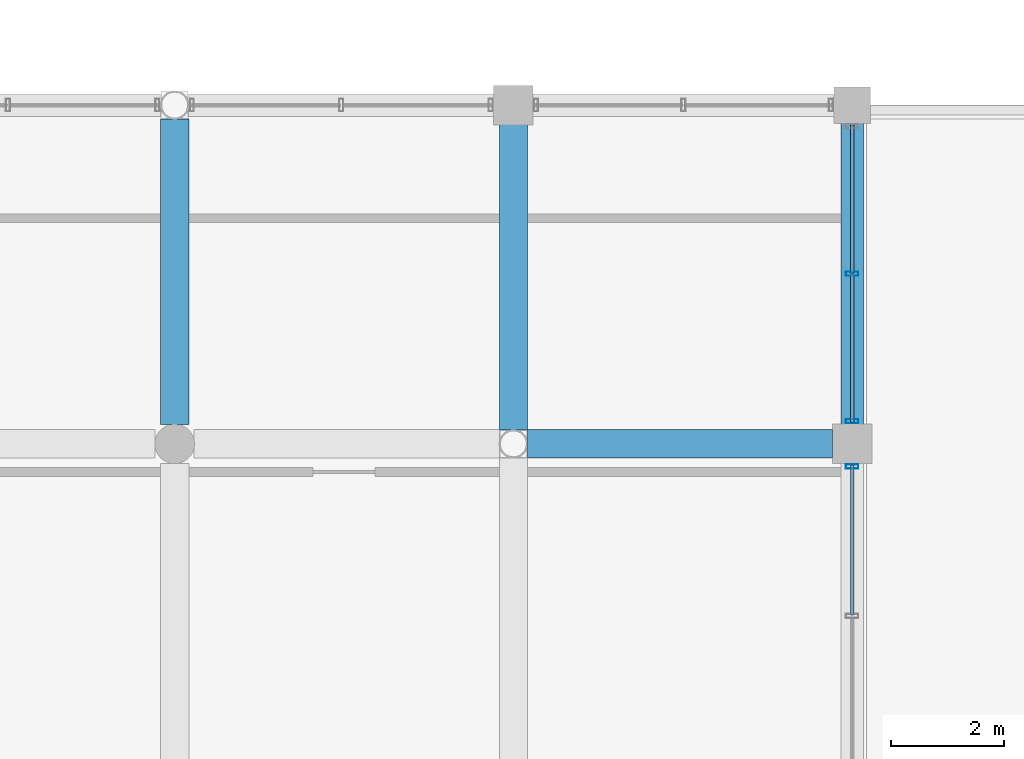
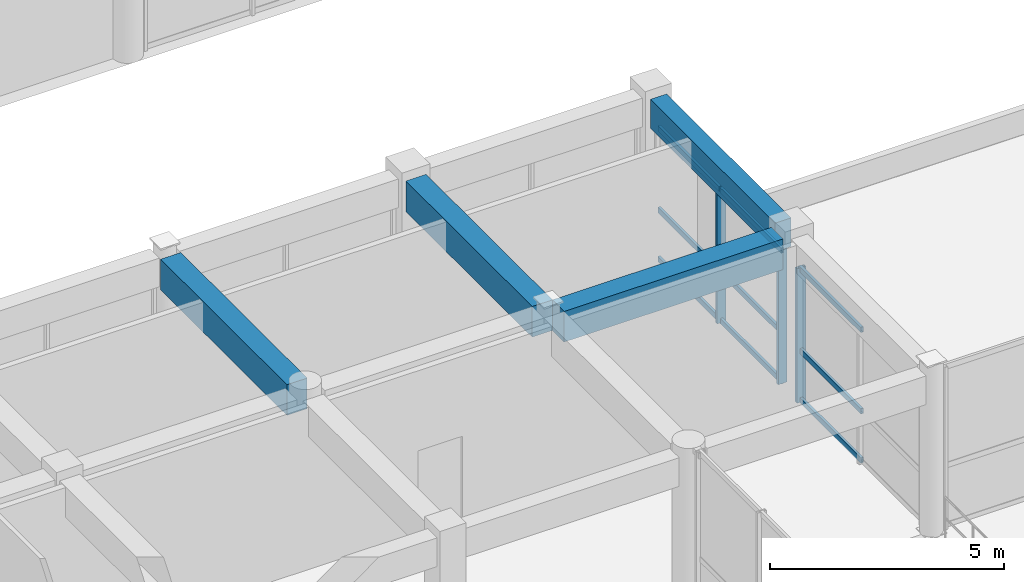
# One storey, part 31 of 116: 12 members, 4 beams, 2 elements without a shape of their own.
"""IFC4 building model written with IfcOpenShell, lengths in metres."""

from ifc_helpers import new_model, si_unit, direction, frame, origin, origin_2d, place, context, subcontext, project, spatial, rectangle, hollow_rectangle, extrude, material, material_profile, profile_set, type_object, element, aggregate, save


model = new_model("IFC4")

# Units and contexts
model_context = context("Model", 3, precision=1e-05, world=origin(), true_north=direction((0.0, 1.0)))
body_context = subcontext(model_context, "Body", "Model", "MODEL_VIEW")
ifc_project = project(units=[si_unit("LENGTHUNIT", "METRE"), si_unit("AREAUNIT", "SQUARE_METRE"), si_unit("VOLUMEUNIT", "CUBIC_METRE"), si_unit("PLANEANGLEUNIT", "RADIAN"), si_unit("MASSUNIT", "GRAM", prefix="KILO"), si_unit("THERMODYNAMICTEMPERATUREUNIT", "KELVIN"), si_unit("POWERUNIT", "WATT")], contexts=[model_context])

# Site, building, storey
site_placement = place(None, origin())
site = spatial("IfcSite", under=ifc_project, at=site_placement, CompositionType="ELEMENT")
building_placement = place(site_placement, origin())
building = spatial("IfcBuilding", under=site, at=building_placement, Name="Phaisarnlok Congress Hotel", CompositionType="ELEMENT")
storey_placement = place(building_placement, frame((0.0, 0.0, 10.5)))
storey = spatial("IfcBuildingStorey", under=building, at=storey_placement, Name="L02", CompositionType="ELEMENT", Elevation=10.5)

# Beams
ifc_material_1 = material(Name="Concrete C40/50", Category="concrete")
ifc_material_profile_1 = material_profile(ifc_material_1, rectangle(XDim=0.5, YDim=0.800048828125, at=origin_2d()), Name="RC 500x800")
ifc_profile_set_1 = profile_set([ifc_material_profile_1], Name="Concrete C40/50")
beam_type_1 = type_object("IfcBeamType", Name="BM-RC-500x800", PredefinedType="BEAM", material=ifc_profile_set_1)
for number, where, z_axis, x_axis, name in (
    (1, (114.0, 90.344970703125, 3.860107421875), (0.0, 1.0, 0.0), (-1.0, 0.0, 0.0), "Beam B-04"),
    (2, (120.2490234375, 90.0, 3.860107421875), (1.0, 0.0, 0.0), (0.0, 1.0, 0.0), "Beam B-04"),
    (3, (120.0, 90.2490234375, 3.860107421875), (0.0, 1.0, 0.0), (-1.0, 0.0, 0.0), "Beam B-04"),
):
    element("IfcBeam", number, at=place(storey_placement, frame(where, z_axis=z_axis, x_axis=x_axis)), inside=storey, type_object=beam_type_1, Name=name, PredefinedType="BEAM", context=body_context, shape_type="SweptSolid", body=[
        extrude(rectangle(XDim=0.5, YDim=0.800048828125, at=origin_2d()), origin(), (0.0, 0.0, 1.0), 5.406005859375),
    ])

# Curtain wall, member
ifc_material_2 = material(Name="Thermally Broken Unitised Aluminium & Low-E Glazing", Category="aluminium")
curtain_wall_type_1 = type_object("IfcCurtainWallType", Name="CW-UNIT-17", PredefinedType="NOTDEFINED", material=ifc_material_2)
curtain_wall_1_placement = place(storey_placement, origin())
curtain_wall_1 = element("IfcCurtainWall", 4, at=curtain_wall_1_placement, inside=storey, type_object=curtain_wall_type_1, Name="Unitised curtain wall CW-17 (L02)", PredefinedType="NOTDEFINED")
ifc_material_3 = material(Name="Anodised Aluminium Alloy 6063-T6", Category="aluminium")
ifc_material_profile_2 = material_profile(ifc_material_3, hollow_rectangle(XDim=0.074951171875, YDim=0.219970703125, WallThickness=0.0048828125, at=origin_2d()), Name="ALU-M 75x220x5")
ifc_profile_set_2 = profile_set([ifc_material_profile_2], Name="Anodised Aluminium Alloy 6063-T6")
member_type_1 = type_object("IfcMemberType", Name="CWM-220", PredefinedType="MULLION", material=ifc_profile_set_2)
member_1_placement = place(storey_placement, frame((126.0, 89.60009765625, 0.0), z_axis=(0.0, 0.0, 1.0), x_axis=(0.0, 1.0, 0.0)))
member_1 = element("IfcMember", 5, at=member_1_placement, type_object=member_type_1, Name="Curtain wall mullion CWM-02", PredefinedType="MULLION", context=body_context, shape_type="SweptSolid", body=[
    extrude(hollow_rectangle(XDim=0.074951171875, YDim=0.219970703125, WallThickness=0.0048828125, at=origin_2d()), origin(), (0.0, 0.0, 1.0), 3.510009765625),
])

# Curtain wall, members
curtain_wall_type_2 = type_object("IfcCurtainWallType", Name="CW-UNIT-16", PredefinedType="NOTDEFINED", material=ifc_material_2)
curtain_wall_2_placement = place(storey_placement, origin())
curtain_wall_2 = element("IfcCurtainWall", 6, at=curtain_wall_2_placement, inside=storey, type_object=curtain_wall_type_2, Name="Unitised curtain wall CW-16 (L02)", PredefinedType="NOTDEFINED")
member_2_placement = place(storey_placement, frame((126.0, 90.39990234375, 0.0), z_axis=(0.0, 0.0, 1.0), x_axis=(0.0, 1.0, 0.0)))
member_2 = element("IfcMember", 7, at=member_2_placement, type_object=member_type_1, Name="Curtain wall mullion CWM-02", PredefinedType="MULLION", context=body_context, shape_type="SweptSolid", body=[
    extrude(hollow_rectangle(XDim=0.074951171875, YDim=0.219970703125, WallThickness=0.0048828125, at=origin_2d()), origin(), (0.0, 0.0, 1.0), 3.510009765625),
])
member_3_placement = place(storey_placement, frame((126.0, 93.012451171875, 0.0), z_axis=(0.0, 0.0, 1.0), x_axis=(0.0, 1.0, 0.0)))
member_3 = element("IfcMember", 8, at=member_3_placement, type_object=member_type_1, Name="Curtain wall mullion CWM-02", PredefinedType="MULLION", context=body_context, shape_type="SweptSolid", body=[
    extrude(hollow_rectangle(XDim=0.074951171875, YDim=0.219970703125, WallThickness=0.0048828125, at=origin_2d()), origin(), (0.0, 0.0, 1.0), 3.510009765625),
])

# Member
ifc_material_profile_3 = material_profile(ifc_material_3, hollow_rectangle(XDim=0.06494140625, YDim=0.139892578125, WallThickness=0.00390625, at=origin_2d()), Name="ALU-T 65x140x4")
ifc_profile_set_3 = profile_set([ifc_material_profile_3], Name="Anodised Aluminium Alloy 6063-T6")
member_type_2 = type_object("IfcMemberType", Name="CWT-150", PredefinedType="USERDEFINED", material=ifc_profile_set_3)
member_4_placement = place(storey_placement, frame((126.0, 86.967041015625, 0.050048828125), z_axis=(0.0, 1.0, 0.0), x_axis=(-1.0, 0.0, 0.0)))
member_4 = element("IfcMember", 9, at=member_4_placement, type_object=member_type_2, Name="Curtain wall transom CWT-01", ObjectType="TRANSOM", PredefinedType="USERDEFINED", context=body_context, shape_type="SweptSolid", body=[
    extrude(hollow_rectangle(XDim=0.06494140625, YDim=0.139892578125, WallThickness=0.00390625, at=origin_2d()), origin(), (0.0, 0.0, 1.0), 2.657958984375),
])

member_5_placement = place(storey_placement, frame((126.0, 86.967041015625, 1.333740234375), z_axis=(0.0, 1.0, 0.0), x_axis=(-1.0, 0.0, 0.0)))
member_5 = element("IfcMember", 10, at=member_5_placement, type_object=member_type_2, Name="Curtain wall transom CWT-01", ObjectType="TRANSOM", PredefinedType="USERDEFINED", context=body_context, shape_type="SweptSolid", body=[
    extrude(hollow_rectangle(XDim=0.06494140625, YDim=0.139892578125, WallThickness=0.00390625, at=origin_2d()), origin(), (0.0, 0.0, 1.0), 2.657958984375),
])

member_6_placement = place(storey_placement, frame((126.0, 86.967041015625, 3.4599609375), z_axis=(0.0, 1.0, 0.0), x_axis=(-1.0, 0.0, 0.0)))
member_6 = element("IfcMember", 11, at=member_6_placement, type_object=member_type_2, Name="Curtain wall transom CWT-01", ObjectType="TRANSOM", PredefinedType="USERDEFINED", context=body_context, shape_type="SweptSolid", body=[
    extrude(hollow_rectangle(XDim=0.06494140625, YDim=0.139892578125, WallThickness=0.00390625, at=origin_2d()), origin(), (0.0, 0.0, 1.0), 2.657958984375),
])

aggregate(curtain_wall_1, [member_1, member_4, member_5, member_6])

member_7_placement = place(storey_placement, frame((126.0, 90.375, 0.050048828125), z_axis=(0.0, 1.0, 0.0), x_axis=(-1.0, 0.0, 0.0)))
member_7 = element("IfcMember", 12, at=member_7_placement, type_object=member_type_2, Name="Curtain wall transom CWT-01", ObjectType="TRANSOM", PredefinedType="USERDEFINED", context=body_context, shape_type="SweptSolid", body=[
    extrude(hollow_rectangle(XDim=0.06494140625, YDim=0.139892578125, WallThickness=0.00390625, at=origin_2d()), origin(), (0.0, 0.0, 1.0), 2.62255859375),
])

member_8_placement = place(storey_placement, frame((126.0, 90.375, 1.333740234375), z_axis=(0.0, 1.0, 0.0), x_axis=(-1.0, 0.0, 0.0)))
member_8 = element("IfcMember", 13, at=member_8_placement, type_object=member_type_2, Name="Curtain wall transom CWT-01", ObjectType="TRANSOM", PredefinedType="USERDEFINED", context=body_context, shape_type="SweptSolid", body=[
    extrude(hollow_rectangle(XDim=0.06494140625, YDim=0.139892578125, WallThickness=0.00390625, at=origin_2d()), origin(), (0.0, 0.0, 1.0), 2.62255859375),
])

member_9_placement = place(storey_placement, frame((126.0, 90.375, 3.4599609375), z_axis=(0.0, 1.0, 0.0), x_axis=(-1.0, 0.0, 0.0)))
member_9 = element("IfcMember", 14, at=member_9_placement, type_object=member_type_2, Name="Curtain wall transom CWT-01", ObjectType="TRANSOM", PredefinedType="USERDEFINED", context=body_context, shape_type="SweptSolid", body=[
    extrude(hollow_rectangle(XDim=0.06494140625, YDim=0.139892578125, WallThickness=0.00390625, at=origin_2d()), origin(), (0.0, 0.0, 1.0), 2.62255859375),
])

member_10_placement = place(storey_placement, frame((126.0, 93.027587890625, 0.050048828125), z_axis=(0.0, 1.0, 0.0), x_axis=(-1.0, 0.0, 0.0)))
member_10 = element("IfcMember", 15, at=member_10_placement, type_object=member_type_2, Name="Curtain wall transom CWT-01", ObjectType="TRANSOM", PredefinedType="USERDEFINED", context=body_context, shape_type="SweptSolid", body=[
    extrude(hollow_rectangle(XDim=0.06494140625, YDim=0.139892578125, WallThickness=0.00390625, at=origin_2d()), origin(), (0.0, 0.0, 1.0), 2.622314453125),
])

member_11_placement = place(storey_placement, frame((126.0, 93.027587890625, 1.333740234375), z_axis=(0.0, 1.0, 0.0), x_axis=(-1.0, 0.0, 0.0)))
member_11 = element("IfcMember", 16, at=member_11_placement, type_object=member_type_2, Name="Curtain wall transom CWT-01", ObjectType="TRANSOM", PredefinedType="USERDEFINED", context=body_context, shape_type="SweptSolid", body=[
    extrude(hollow_rectangle(XDim=0.06494140625, YDim=0.139892578125, WallThickness=0.00390625, at=origin_2d()), origin(), (0.0, 0.0, 1.0), 2.622314453125),
])

member_12_placement = place(storey_placement, frame((126.0, 93.027587890625, 3.4599609375), z_axis=(0.0, 1.0, 0.0), x_axis=(-1.0, 0.0, 0.0)))
member_12 = element("IfcMember", 17, at=member_12_placement, type_object=member_type_2, Name="Curtain wall transom CWT-01", ObjectType="TRANSOM", PredefinedType="USERDEFINED", context=body_context, shape_type="SweptSolid", body=[
    extrude(hollow_rectangle(XDim=0.06494140625, YDim=0.139892578125, WallThickness=0.00390625, at=origin_2d()), origin(), (0.0, 0.0, 1.0), 2.622314453125),
])

aggregate(curtain_wall_2, [member_2, member_3, member_7, member_8, member_9, member_10, member_11, member_12])

# Beam
ifc_material_profile_4 = material_profile(ifc_material_1, rectangle(XDim=0.39990234375, YDim=0.75, at=origin_2d()), Name="RC 400x750")
ifc_profile_set_4 = profile_set([ifc_material_profile_4], Name="Concrete C40/50")
beam_type_2 = type_object("IfcBeamType", Name="SP-RC-400x750", PredefinedType="SPANDREL", material=ifc_profile_set_4)
beam_placement = place(storey_placement, frame((126.0, 90.344970703125, 3.885009765625), z_axis=(0.0, 1.0, 0.0), x_axis=(-1.0, 0.0, 0.0)))
element("IfcBeam", 18, at=beam_placement, inside=storey, type_object=beam_type_2, Name="Beam SP-02", PredefinedType="SPANDREL", context=body_context, shape_type="SweptSolid", body=[
    extrude(rectangle(XDim=0.39990234375, YDim=0.75, at=origin_2d()), origin(), (0.0, 0.0, 1.0), 5.3349609375),
])

save(model, "model.ifc")
